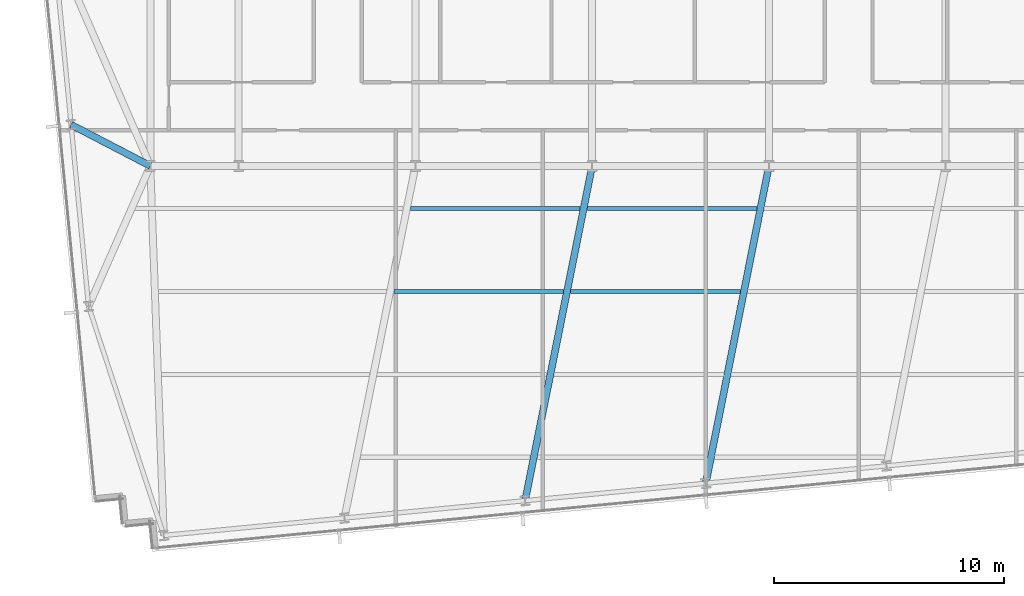
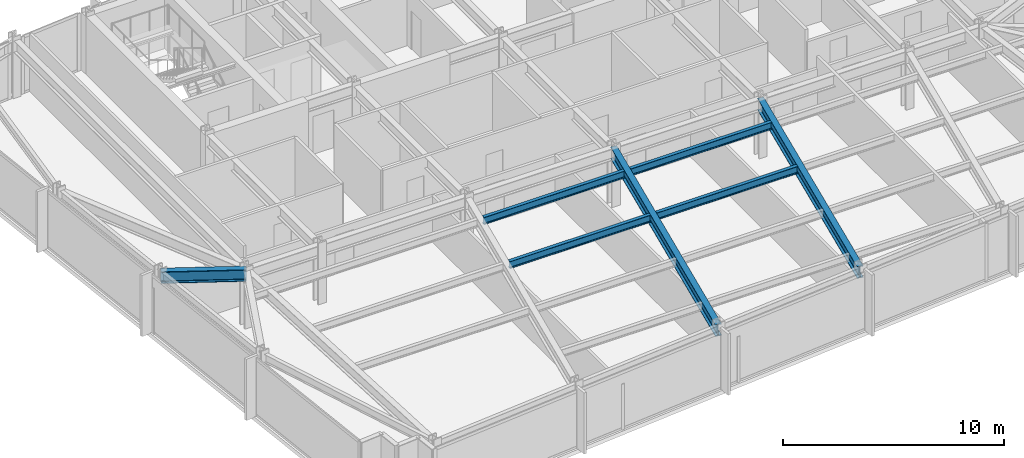
# One storey, part 5 of 33: 7 beams.
"""IFC4 building model written with IfcOpenShell, lengths in metres."""

import ifcopenshell
import ifcopenshell.guid

model = None  # the IFC model being written
_history = None  # IfcOwnerHistory: only IFC2X3 demands one
_inside = {}  # id of a spatial element -> (the spatial element, [elements in it])
_under = {}  # id of a project, library or spatial element -> (it, [spatial elements below it])
_declared = {}  # id of a project -> (the project, [libraries it declares])
_typed = {}  # id of a type object -> (the type object, [elements of that type])
_made_of = {}  # id of a material, layer set ... -> (it, [elements and type objects made of it])


def new_model(schema):
    """Start an empty IFC model of exactly this schema.

    Asked for "IFC4X3", IfcOpenShell would pick the latest addendum, in which some entities
    have other attributes; the version numbers below select the first issue.
    IFC2X3 requires an IfcOwnerHistory on every rooted entity: one is made here for all.
    """
    global model, _history
    if schema == "IFC4X3":
        model = ifcopenshell.file(schema_version=(4, 3, 0, 0))
    else:
        model = ifcopenshell.file(schema=schema)
    _inside.clear()
    _under.clear()
    _declared.clear()
    _typed.clear()
    _made_of.clear()
    _history = None
    if model.schema == "IFC2X3":
        org = make("IfcOrganization", Name="unknown")
        user = make(
            "IfcPersonAndOrganization",
            ThePerson=make("IfcPerson", FamilyName="unknown"),
            TheOrganization=org,
        )
        app = make(
            "IfcApplication",
            ApplicationDeveloper=org,
            Version="unknown",
            ApplicationFullName="unknown",
            ApplicationIdentifier="unknown",
        )
        _history = make(
            "IfcOwnerHistory",
            OwningUser=user,
            OwningApplication=app,
            ChangeAction="ADDED",
            CreationDate=0,
        )
    return model


def make(cls, **values):
    """One entity of the class cls with the attributes given. An attribute that is None is left unset."""
    return model.create_entity(
        cls, **{name: value for name, value in values.items() if value is not None}
    )


def rooted(cls, **values):
    """An entity with a GlobalId (a new one), such as an element, a storey or a relation."""
    return make(cls, GlobalId=ifcopenshell.guid.new(), OwnerHistory=_history, **values)


def si_unit(unit_type, name, prefix=None):
    """IfcSIUnit, for example si_unit("LENGTHUNIT", "METRE", prefix="MILLI")."""
    return make("IfcSIUnit", UnitType=unit_type, Prefix=prefix, Name=name)


def assignment(units):
    """IfcUnitAssignment: the units of a project."""
    return None if units is None else make("IfcUnitAssignment", Units=units)


def point(xyz):
    """IfcCartesianPoint."""
    return None if xyz is None else make("IfcCartesianPoint", Coordinates=xyz)


def direction(xyz):
    """IfcDirection."""
    return None if xyz is None else make("IfcDirection", DirectionRatios=xyz)


def frame(location, z_axis=None, x_axis=None):
    """IfcAxis2Placement3D, a coordinate frame: its origin and axes. An axis left out is left unset."""
    return make(
        "IfcAxis2Placement3D",
        Location=point(location),
        Axis=direction(z_axis),
        RefDirection=direction(x_axis),
    )


def frame_2d(location, x_axis=None):
    """IfcAxis2Placement2D, a coordinate frame in the plane: its origin and x axis."""
    return make(
        "IfcAxis2Placement2D", Location=point(location), RefDirection=direction(x_axis)
    )


def origin():
    """The frame at (0, 0, 0) with its axes left unset."""
    return frame((0.0, 0.0, 0.0))


def origin_2d():
    """The frame at (0, 0) in the plane with its x axis left unset."""
    return frame_2d((0.0, 0.0))


def place(relative_to, where):
    """IfcLocalPlacement: puts the frame where relative to a parent placement (None: the world)."""
    return make(
        "IfcLocalPlacement", PlacementRelTo=relative_to, RelativePlacement=where
    )


def context(
    kind, dimensions, precision=None, world=None, true_north=None, identifier=None
):
    """IfcGeometricRepresentationContext, for example the 3D "Model" context."""
    return make(
        "IfcGeometricRepresentationContext",
        ContextIdentifier=identifier,
        ContextType=kind,
        CoordinateSpaceDimension=dimensions,
        Precision=precision,
        WorldCoordinateSystem=world,
        TrueNorth=true_north,
    )


def subcontext(parent, identifier, kind, view, scale=None):
    """IfcGeometricRepresentationSubContext, for example "Body" below "Model"."""
    return make(
        "IfcGeometricRepresentationSubContext",
        ContextIdentifier=identifier,
        ContextType=kind,
        ParentContext=parent,
        TargetScale=scale,
        TargetView=view,
    )


def project(units=None, contexts=None):
    """IfcProject with its units and contexts."""
    return rooted(
        "IfcProject",
        Name="project",
        RepresentationContexts=contexts,
        UnitsInContext=assignment(units),
    )


def spatial(cls, under=None, at=None, **own):
    """A site, building, storey or space (cls), placed at a placement, below another one or the project."""
    s = rooted(cls, ObjectPlacement=at, **own)
    if under is not None:
        _under.setdefault(under.id(), (under, []))[1].append(s)
    return s


def profile(cls, at=None, kind="AREA", **sizes):
    """A parametric profile (cls). Its sizes go by their IFC names, for example OverallWidth=200.0."""
    return make(cls, ProfileType=kind, Position=at, **sizes)


def i_section(**sizes):
    """IfcIShapeProfileDef."""
    return profile("IfcIShapeProfileDef", **sizes)


def extrude(swept, where, along, depth):
    """IfcExtrudedAreaSolid: the profile swept, set in the frame where, extruded along a direction by depth."""
    return make(
        "IfcExtrudedAreaSolid",
        SweptArea=swept,
        Position=where,
        ExtrudedDirection=direction(along),
        Depth=depth,
    )


def shape(context_of_items, identifier, shape_type, items):
    """IfcShapeRepresentation: the items that make up one representation, for example the "Body"."""
    return make(
        "IfcShapeRepresentation",
        ContextOfItems=context_of_items,
        RepresentationIdentifier=identifier,
        RepresentationType=shape_type,
        Items=items,
    )


def material(Name=None, Category=None):
    """IfcMaterial."""
    return make("IfcMaterial", Name=Name, Category=Category)


def material_profile(
    of_material, cross_section, Name=None, Category=None, Priority=None
):
    """IfcMaterialProfile: a cross section and its material."""
    return make(
        "IfcMaterialProfile",
        Name=Name,
        Material=of_material,
        Profile=cross_section,
        Priority=Priority,
        Category=Category,
    )


def profile_set(profiles, Name=None, composite=None):
    """IfcMaterialProfileSet."""
    return make(
        "IfcMaterialProfileSet",
        Name=Name,
        MaterialProfiles=profiles,
        CompositeProfile=composite,
    )


def made_of(thing, what):
    """Note that an element or type object is made of a material, layer set ...; save() writes the relation."""
    if what is not None:
        _made_of.setdefault(what.id(), (what, []))[1].append(thing)
    return thing


def type_object(cls, material=None, **own):
    """A type object (cls), such as IfcWallType, which elements share."""
    return made_of(rooted(cls, **own), material)


def element(
    cls,
    number,
    at=None,
    inside=None,
    cuts=None,
    type_object=None,
    material=None,
    context=None,
    identifier="Body",
    shape_type=None,
    held_by="IfcProductDefinitionShape",
    body=None,
    shapes=None,
    **own,
):
    """One element of the class cls, such as IfcWall. Its Tag is "e" and its number.

    at: its placement. inside: the storey or other place that contains it. cuts: it is an
    opening in that element (IfcRelVoidsElement). A single representation is given by context,
    identifier, shape_type and body (its items); several are given by shapes. held_by: the class
    of the entity that holds the representations. save() writes the other relations.
    """
    e = rooted(cls, Tag="e%d" % number, ObjectPlacement=at, **own)
    if body is not None:
        shapes = [shape(context, identifier, shape_type, body)]
    if shapes is not None:
        e.Representation = make(held_by, Representations=shapes)
    if inside is not None:
        _inside.setdefault(inside.id(), (inside, []))[1].append(e)
    if cuts is not None:
        rooted(
            "IfcRelVoidsElement", RelatingBuildingElement=cuts, RelatedOpeningElement=e
        )
    if type_object is not None:
        _typed.setdefault(type_object.id(), (type_object, []))[1].append(e)
    return made_of(e, material)


def aggregate(whole, parts):
    """IfcRelAggregates: a whole, such as a stair, and the parts it consists of."""
    return rooted("IfcRelAggregates", RelatingObject=whole, RelatedObjects=parts)


def save(model, path):
    """Write the relations noted so far, then the file.

    IfcRelAggregates (storeys below a building ...), IfcRelContainedInSpatialStructure (elements
    in a storey), IfcRelDefinesByType, IfcRelAssociatesMaterial and IfcRelDeclares: one each for
    every whole, place, type object, material and project.
    """
    for whole, parts in _under.values():
        aggregate(whole, parts)
    for where, things in _inside.values():
        rooted(
            "IfcRelContainedInSpatialStructure",
            RelatedElements=things,
            RelatingStructure=where,
        )
    for kind, things in _typed.values():
        rooted("IfcRelDefinesByType", RelatedObjects=things, RelatingType=kind)
    for what, things in _made_of.values():
        rooted("IfcRelAssociatesMaterial", RelatedObjects=things, RelatingMaterial=what)
    for by, libraries in _declared.values():
        rooted("IfcRelDeclares", RelatingContext=by, RelatedDefinitions=libraries)
    model.write(path)


model = new_model("IFC4")

# Units and contexts
model_context = context("Model", 3, precision=1e-05, world=origin(), true_north=direction((0.0, 1.0)))
body_context = subcontext(model_context, "Body", "Model", "MODEL_VIEW")
ifc_project = project(units=[si_unit("LENGTHUNIT", "METRE"), si_unit("AREAUNIT", "SQUARE_METRE"), si_unit("VOLUMEUNIT", "CUBIC_METRE"), si_unit("PLANEANGLEUNIT", "RADIAN"), si_unit("MASSUNIT", "GRAM", prefix="KILO")], contexts=[model_context])

# Site, building, storey
site_placement = place(None, origin())
site = spatial("IfcSite", under=ifc_project, at=site_placement, CompositionType="ELEMENT")
building_placement = place(site_placement, origin())
building = spatial("IfcBuilding", under=site, at=building_placement, Name="Yelkora Congress Tower", CompositionType="ELEMENT")
storey_placement = place(building_placement, frame((0.0, 0.0, 106.699951171875)))
storey = spatial("IfcBuildingStorey", under=building, at=storey_placement, Name="L28", CompositionType="ELEMENT", Elevation=106.699951171875)

# Beams
ifc_material = material(Name="Steel S355J2", Category="steel")
ifc_material_profile_1 = material_profile(ifc_material, i_section(OverallWidth=0.300048828125, OverallDepth=0.64990234375, WebThickness=0.01611328125, FlangeThickness=0.031005859375, FilletRadius=0.027099609375, at=origin_2d()), Name="HEB 650")
ifc_profile_set_1 = profile_set([ifc_material_profile_1], Name="Steel S355J2")
beam_type_1 = type_object("IfcBeamType", Name="BM-GIRD-HEB650", PredefinedType="BEAM", material=ifc_profile_set_1)
beam_1_placement = place(storey_placement, frame((35.48486328125, 10.656005859375, 2.85498046875), z_axis=(0.196521264673, 0.980499562739, 0.0), x_axis=(-0.980499562739, 0.196521264673, 0.0)))
element("IfcBeam", 1, at=beam_1_placement, inside=storey, type_object=beam_type_1, Name="L28 Primary Frame Girder S03", PredefinedType="BEAM", context=body_context, shape_type="SweptSolid", body=[
    extrude(i_section(OverallWidth=0.300048828125, OverallDepth=0.64990234375, WebThickness=0.01611328125, FlangeThickness=0.031005859375, FilletRadius=0.027099609375, at=origin_2d()), origin(), (0.0, 0.0, 1.0), 14.833251953125),
])
beam_2_placement = place(storey_placement, frame((43.334228515625, 11.411865234375, 2.85498046875), z_axis=(0.195311238928, 0.980741311432, 0.0), x_axis=(-0.980741311432, 0.195311238928, 0.0)))
element("IfcBeam", 2, at=beam_2_placement, inside=storey, type_object=beam_type_1, Name="L28 Primary Frame Girder S04", PredefinedType="BEAM", context=body_context, shape_type="SweptSolid", body=[
    extrude(i_section(OverallWidth=0.300048828125, OverallDepth=0.64990234375, WebThickness=0.01611328125, FlangeThickness=0.031005859375, FilletRadius=0.027099609375, at=origin_2d()), origin(), (0.0, 0.0, 1.0), 14.058837890625),
])
beam_3_placement = place(storey_placement, frame((15.757080078125, 26.990478515625, 2.85498046875), z_axis=(0.887192078676, -0.461400276912, 0.0), x_axis=(0.461400276912, 0.887192078676, 0.0)))
element("IfcBeam", 3, at=beam_3_placement, inside=storey, type_object=beam_type_1, Name="L28 Primary Frame Girder W02", PredefinedType="BEAM", context=body_context, shape_type="SweptSolid", body=[
    extrude(i_section(OverallWidth=0.300048828125, OverallDepth=0.64990234375, WebThickness=0.01611328125, FlangeThickness=0.031005859375, FilletRadius=0.027099609375, at=origin_2d()), origin(), (0.0, 0.0, 1.0), 3.880615234375),
])
ifc_material_profile_2 = material_profile(ifc_material, i_section(OverallWidth=0.179931640625, OverallDepth=0.39990234375, WebThickness=0.008544921875, FlangeThickness=0.013427734375, FilletRadius=0.02099609375, at=origin_2d()), Name="IPE 400")
ifc_profile_set_2 = profile_set([ifc_material_profile_2], Name="Steel S355J2")
beam_type_2 = type_object("IfcBeamType", Name="BM-JOIST-IPE400", PredefinedType="JOIST", material=ifc_profile_set_2)
beam_4_placement = place(storey_placement, frame((29.780029296875, 19.744384765625, 2.97998046875), z_axis=(1.0, 0.0, 0.0), x_axis=(0.0, 1.0, 0.0)))
element("IfcBeam", 4, at=beam_4_placement, inside=storey, type_object=beam_type_2, Name="L28 Composite Floor Joist 12", PredefinedType="JOIST", context=body_context, shape_type="SweptSolid", body=[
    extrude(i_section(OverallWidth=0.179931640625, OverallDepth=0.39990234375, WebThickness=0.008544921875, FlangeThickness=0.013427734375, FilletRadius=0.02099609375, at=origin_2d()), origin(), (0.0, 0.0, 1.0), 7.366455078125),
])
beam_5_placement = place(storey_placement, frame((37.466552734375, 19.744384765625, 2.97998046875), z_axis=(1.0, 0.0, 0.0), x_axis=(0.0, 1.0, 0.0)))
element("IfcBeam", 5, at=beam_5_placement, inside=storey, type_object=beam_type_2, Name="L28 Composite Floor Joist 13", PredefinedType="JOIST", context=body_context, shape_type="SweptSolid", body=[
    extrude(i_section(OverallWidth=0.179931640625, OverallDepth=0.39990234375, WebThickness=0.008544921875, FlangeThickness=0.013427734375, FilletRadius=0.02099609375, at=origin_2d()), origin(), (0.0, 0.0, 1.0), 7.366943359375),
])
beam_6_placement = place(storey_placement, frame((30.505859375, 23.344482421875, 2.97998046875), z_axis=(1.0, 0.0, 0.0), x_axis=(0.0, 1.0, 0.0)))
element("IfcBeam", 6, at=beam_6_placement, inside=storey, type_object=beam_type_2, Name="L28 Composite Floor Joist 19", PredefinedType="JOIST", context=body_context, shape_type="SweptSolid", body=[
    extrude(i_section(OverallWidth=0.179931640625, OverallDepth=0.39990234375, WebThickness=0.008544921875, FlangeThickness=0.013427734375, FilletRadius=0.02099609375, at=origin_2d()), origin(), (0.0, 0.0, 1.0), 7.3623046875),
])
beam_7_placement = place(storey_placement, frame((38.18798828125, 23.344482421875, 2.97998046875), z_axis=(1.0, 0.0, 0.0), x_axis=(0.0, 1.0, 0.0)))
element("IfcBeam", 7, at=beam_7_placement, inside=storey, type_object=beam_type_2, Name="L28 Composite Floor Joist 20", PredefinedType="JOIST", context=body_context, shape_type="SweptSolid", body=[
    extrude(i_section(OverallWidth=0.179931640625, OverallDepth=0.39990234375, WebThickness=0.008544921875, FlangeThickness=0.013427734375, FilletRadius=0.02099609375, at=origin_2d()), origin(), (0.0, 0.0, 1.0), 7.362548828125),
])

save(model, "model.ifc")
